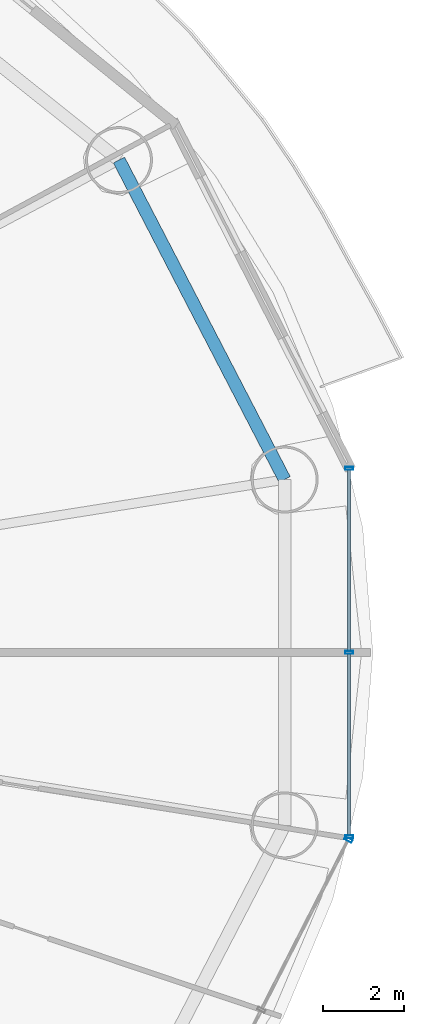
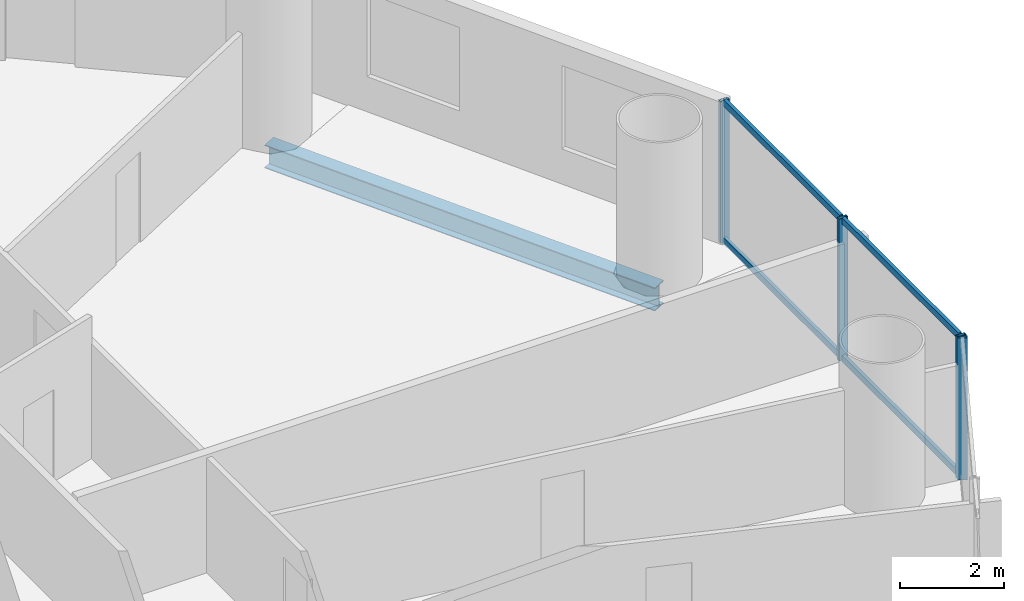
# One storey, part 14 of 29: 8 members, 1 beam, 2 elements without a shape of their own.
"""IFC4 building model written with IfcOpenShell, lengths in metres."""

import ifcopenshell
import ifcopenshell.guid

model = None  # the IFC model being written
_history = None  # IfcOwnerHistory: only IFC2X3 demands one
_inside = {}  # id of a spatial element -> (the spatial element, [elements in it])
_under = {}  # id of a project, library or spatial element -> (it, [spatial elements below it])
_declared = {}  # id of a project -> (the project, [libraries it declares])
_typed = {}  # id of a type object -> (the type object, [elements of that type])
_made_of = {}  # id of a material, layer set ... -> (it, [elements and type objects made of it])


def new_model(schema):
    """Start an empty IFC model of exactly this schema.

    Asked for "IFC4X3", IfcOpenShell would pick the latest addendum, in which some entities
    have other attributes; the version numbers below select the first issue.
    IFC2X3 requires an IfcOwnerHistory on every rooted entity: one is made here for all.
    """
    global model, _history
    if schema == "IFC4X3":
        model = ifcopenshell.file(schema_version=(4, 3, 0, 0))
    else:
        model = ifcopenshell.file(schema=schema)
    _inside.clear()
    _under.clear()
    _declared.clear()
    _typed.clear()
    _made_of.clear()
    _history = None
    if model.schema == "IFC2X3":
        org = make("IfcOrganization", Name="unknown")
        user = make(
            "IfcPersonAndOrganization",
            ThePerson=make("IfcPerson", FamilyName="unknown"),
            TheOrganization=org,
        )
        app = make(
            "IfcApplication",
            ApplicationDeveloper=org,
            Version="unknown",
            ApplicationFullName="unknown",
            ApplicationIdentifier="unknown",
        )
        _history = make(
            "IfcOwnerHistory",
            OwningUser=user,
            OwningApplication=app,
            ChangeAction="ADDED",
            CreationDate=0,
        )
    return model


def make(cls, **values):
    """One entity of the class cls with the attributes given. An attribute that is None is left unset."""
    return model.create_entity(
        cls, **{name: value for name, value in values.items() if value is not None}
    )


def rooted(cls, **values):
    """An entity with a GlobalId (a new one), such as an element, a storey or a relation."""
    return make(cls, GlobalId=ifcopenshell.guid.new(), OwnerHistory=_history, **values)


def si_unit(unit_type, name, prefix=None):
    """IfcSIUnit, for example si_unit("LENGTHUNIT", "METRE", prefix="MILLI")."""
    return make("IfcSIUnit", UnitType=unit_type, Prefix=prefix, Name=name)


def assignment(units):
    """IfcUnitAssignment: the units of a project."""
    return None if units is None else make("IfcUnitAssignment", Units=units)


def point(xyz):
    """IfcCartesianPoint."""
    return None if xyz is None else make("IfcCartesianPoint", Coordinates=xyz)


def direction(xyz):
    """IfcDirection."""
    return None if xyz is None else make("IfcDirection", DirectionRatios=xyz)


def frame(location, z_axis=None, x_axis=None):
    """IfcAxis2Placement3D, a coordinate frame: its origin and axes. An axis left out is left unset."""
    return make(
        "IfcAxis2Placement3D",
        Location=point(location),
        Axis=direction(z_axis),
        RefDirection=direction(x_axis),
    )


def frame_2d(location, x_axis=None):
    """IfcAxis2Placement2D, a coordinate frame in the plane: its origin and x axis."""
    return make(
        "IfcAxis2Placement2D", Location=point(location), RefDirection=direction(x_axis)
    )


def origin():
    """The frame at (0, 0, 0) with its axes left unset."""
    return frame((0.0, 0.0, 0.0))


def origin_2d():
    """The frame at (0, 0) in the plane with its x axis left unset."""
    return frame_2d((0.0, 0.0))


def place(relative_to, where):
    """IfcLocalPlacement: puts the frame where relative to a parent placement (None: the world)."""
    return make(
        "IfcLocalPlacement", PlacementRelTo=relative_to, RelativePlacement=where
    )


def context(
    kind, dimensions, precision=None, world=None, true_north=None, identifier=None
):
    """IfcGeometricRepresentationContext, for example the 3D "Model" context."""
    return make(
        "IfcGeometricRepresentationContext",
        ContextIdentifier=identifier,
        ContextType=kind,
        CoordinateSpaceDimension=dimensions,
        Precision=precision,
        WorldCoordinateSystem=world,
        TrueNorth=true_north,
    )


def subcontext(parent, identifier, kind, view, scale=None):
    """IfcGeometricRepresentationSubContext, for example "Body" below "Model"."""
    return make(
        "IfcGeometricRepresentationSubContext",
        ContextIdentifier=identifier,
        ContextType=kind,
        ParentContext=parent,
        TargetScale=scale,
        TargetView=view,
    )


def project(units=None, contexts=None):
    """IfcProject with its units and contexts."""
    return rooted(
        "IfcProject",
        Name="project",
        RepresentationContexts=contexts,
        UnitsInContext=assignment(units),
    )


def spatial(cls, under=None, at=None, **own):
    """A site, building, storey or space (cls), placed at a placement, below another one or the project."""
    s = rooted(cls, ObjectPlacement=at, **own)
    if under is not None:
        _under.setdefault(under.id(), (under, []))[1].append(s)
    return s


def profile(cls, at=None, kind="AREA", **sizes):
    """A parametric profile (cls). Its sizes go by their IFC names, for example OverallWidth=200.0."""
    return make(cls, ProfileType=kind, Position=at, **sizes)


def hollow_rectangle(**sizes):
    """IfcRectangleHollowProfileDef."""
    return profile("IfcRectangleHollowProfileDef", **sizes)


def i_section(**sizes):
    """IfcIShapeProfileDef."""
    return profile("IfcIShapeProfileDef", **sizes)


def extrude(swept, where, along, depth):
    """IfcExtrudedAreaSolid: the profile swept, set in the frame where, extruded along a direction by depth."""
    return make(
        "IfcExtrudedAreaSolid",
        SweptArea=swept,
        Position=where,
        ExtrudedDirection=direction(along),
        Depth=depth,
    )


def shape(context_of_items, identifier, shape_type, items):
    """IfcShapeRepresentation: the items that make up one representation, for example the "Body"."""
    return make(
        "IfcShapeRepresentation",
        ContextOfItems=context_of_items,
        RepresentationIdentifier=identifier,
        RepresentationType=shape_type,
        Items=items,
    )


def source(mapping_origin, context_of_items, identifier, shape_type, items):
    """IfcRepresentationMap: a shape defined once, which mapped items show again and again."""
    return make(
        "IfcRepresentationMap",
        MappingOrigin=mapping_origin,
        MappedRepresentation=shape(context_of_items, identifier, shape_type, items),
    )


def transform(
    local_origin,
    x_axis=None,
    y_axis=None,
    z_axis=None,
    scale=None,
    scale2=None,
    scale3=None,
    uniform=True,
):
    """IfcCartesianTransformationOperator3D, or its non-uniform kind. x_axis, y_axis, z_axis: its Axis1, 2, 3."""
    if uniform:
        return make(
            "IfcCartesianTransformationOperator3D",
            Axis1=direction(x_axis),
            Axis2=direction(y_axis),
            LocalOrigin=point(local_origin),
            Scale=scale,
            Axis3=direction(z_axis),
        )
    return make(
        "IfcCartesianTransformationOperator3DnonUniform",
        Axis1=direction(x_axis),
        Axis2=direction(y_axis),
        LocalOrigin=point(local_origin),
        Scale=scale,
        Axis3=direction(z_axis),
        Scale2=scale2,
        Scale3=scale3,
    )


def mapped(mapping_source, mapping_target):
    """IfcMappedItem: shows the shape of a source again, moved by a transform."""
    return make(
        "IfcMappedItem", MappingSource=mapping_source, MappingTarget=mapping_target
    )


def material(Name=None, Category=None):
    """IfcMaterial."""
    return make("IfcMaterial", Name=Name, Category=Category)


def material_profile(
    of_material, cross_section, Name=None, Category=None, Priority=None
):
    """IfcMaterialProfile: a cross section and its material."""
    return make(
        "IfcMaterialProfile",
        Name=Name,
        Material=of_material,
        Profile=cross_section,
        Priority=Priority,
        Category=Category,
    )


def profile_set(profiles, Name=None, composite=None):
    """IfcMaterialProfileSet."""
    return make(
        "IfcMaterialProfileSet",
        Name=Name,
        MaterialProfiles=profiles,
        CompositeProfile=composite,
    )


def made_of(thing, what):
    """Note that an element or type object is made of a material, layer set ...; save() writes the relation."""
    if what is not None:
        _made_of.setdefault(what.id(), (what, []))[1].append(thing)
    return thing


def type_object(cls, material=None, **own):
    """A type object (cls), such as IfcWallType, which elements share."""
    return made_of(rooted(cls, **own), material)


def element(
    cls,
    number,
    at=None,
    inside=None,
    cuts=None,
    type_object=None,
    material=None,
    context=None,
    identifier="Body",
    shape_type=None,
    held_by="IfcProductDefinitionShape",
    body=None,
    shapes=None,
    **own,
):
    """One element of the class cls, such as IfcWall. Its Tag is "e" and its number.

    at: its placement. inside: the storey or other place that contains it. cuts: it is an
    opening in that element (IfcRelVoidsElement). A single representation is given by context,
    identifier, shape_type and body (its items); several are given by shapes. held_by: the class
    of the entity that holds the representations. save() writes the other relations.
    """
    e = rooted(cls, Tag="e%d" % number, ObjectPlacement=at, **own)
    if body is not None:
        shapes = [shape(context, identifier, shape_type, body)]
    if shapes is not None:
        e.Representation = make(held_by, Representations=shapes)
    if inside is not None:
        _inside.setdefault(inside.id(), (inside, []))[1].append(e)
    if cuts is not None:
        rooted(
            "IfcRelVoidsElement", RelatingBuildingElement=cuts, RelatedOpeningElement=e
        )
    if type_object is not None:
        _typed.setdefault(type_object.id(), (type_object, []))[1].append(e)
    return made_of(e, material)


def aggregate(whole, parts):
    """IfcRelAggregates: a whole, such as a stair, and the parts it consists of."""
    return rooted("IfcRelAggregates", RelatingObject=whole, RelatedObjects=parts)


def save(model, path):
    """Write the relations noted so far, then the file.

    IfcRelAggregates (storeys below a building ...), IfcRelContainedInSpatialStructure (elements
    in a storey), IfcRelDefinesByType, IfcRelAssociatesMaterial and IfcRelDeclares: one each for
    every whole, place, type object, material and project.
    """
    for whole, parts in _under.values():
        aggregate(whole, parts)
    for where, things in _inside.values():
        rooted(
            "IfcRelContainedInSpatialStructure",
            RelatedElements=things,
            RelatingStructure=where,
        )
    for kind, things in _typed.values():
        rooted("IfcRelDefinesByType", RelatedObjects=things, RelatingType=kind)
    for what, things in _made_of.values():
        rooted("IfcRelAssociatesMaterial", RelatedObjects=things, RelatingMaterial=what)
    for by, libraries in _declared.values():
        rooted("IfcRelDeclares", RelatingContext=by, RelatedDefinitions=libraries)
    model.write(path)


model = new_model("IFC4")

# Units and contexts
model_context = context("Model", 3, precision=1e-05, world=origin(), true_north=direction((-0.2419218956, 0.970295726276)))
body_context = subcontext(model_context, "Body", "Model", "MODEL_VIEW")
ifc_project = project(units=[si_unit("LENGTHUNIT", "METRE"), si_unit("AREAUNIT", "SQUARE_METRE"), si_unit("VOLUMEUNIT", "CUBIC_METRE"), si_unit("PLANEANGLEUNIT", "RADIAN"), si_unit("MASSUNIT", "GRAM", prefix="KILO")], contexts=[model_context])

# Site, building, storey
site_placement = place(None, origin())
site = spatial("IfcSite", under=ifc_project, at=site_placement, CompositionType="ELEMENT")
building_placement = place(site_placement, origin())
building = spatial("IfcBuilding", under=site, at=building_placement, Name="Cobrevalo Terracotta Tower", CompositionType="ELEMENT")
storey_placement = place(building_placement, frame((0.0, 0.0, 67.199951171875)))
storey = spatial("IfcBuildingStorey", under=building, at=storey_placement, Name="L17", CompositionType="ELEMENT", Elevation=67.199951171875)

# Beam
ifc_material_1 = material(Name="Steel S355", Category="steel")
ifc_material_profile_1 = material_profile(ifc_material_1, i_section(OverallWidth=0.31201171875, OverallDepth=0.54296875, WebThickness=0.0126953125, FlangeThickness=0.020263671875, at=origin_2d()), Name="W 530x150")
ifc_profile_set_1 = profile_set([ifc_material_profile_1], Name="Steel S355")
beam_type = type_object("IfcBeamType", Name="Structural Spandrel W 530x150 (Steel S355)", PredefinedType="SPANDREL", material=ifc_profile_set_1)
beam_placement = place(storey_placement, frame((64.824462890625, 31.062744140625, -0.551513671875), z_axis=(-0.460285838799, 0.88777077368, 0.0), x_axis=(-0.88777077368, -0.460285838799, 0.0)))
element("IfcBeam", 1, at=beam_placement, inside=storey, type_object=beam_type, Name="L17 perimeter ring spandrel 01", PredefinedType="SPANDREL", context=body_context, shape_type="SweptSolid", body=[
    extrude(i_section(OverallWidth=0.31201171875, OverallDepth=0.54296875, WebThickness=0.0126953125, FlangeThickness=0.020263671875, at=origin_2d()), origin(), (0.0, 0.0, 1.0), 8.8720703125),
])

# Curtain wall, member
ifc_material_2 = material(Name="Anodized aluminium", Category="aluminium")
curtain_wall_type = type_object("IfcCurtainWallType", Name="Lower-tower unitised acoustic low-E curtain wall CW-U1", PredefinedType="NOTDEFINED", material=ifc_material_2)
curtain_wall_1_placement = place(storey_placement, origin())
curtain_wall_1 = element("IfcCurtainWall", 2, at=curtain_wall_1_placement, inside=storey, type_object=curtain_wall_type, Name="L17 curtain wall CW-L17-S15", PredefinedType="NOTDEFINED")
ifc_material_profile_2 = material_profile(ifc_material_2, hollow_rectangle(XDim=0.074951171875, YDim=0.199951171875, WallThickness=0.0048828125, at=origin_2d()), Name="CWM 75x200")
ifc_profile_set_2 = profile_set([ifc_material_profile_2], Name="Anodized aluminium")
member_type_1 = type_object("IfcMemberType", Name="Lower/mid tower unitised mullion 75x200", PredefinedType="MULLION", material=ifc_profile_set_2)
shared_shape_1 = source(origin(), body_context, "Body", "SweptSolid", [
    extrude(hollow_rectangle(XDim=0.074951171875, YDim=0.199951171875, WallThickness=0.0048828125, at=origin_2d()), origin(), (0.0, 0.0, 1.0), 3.320068359375),
])
member_1_placement = place(storey_placement, frame((66.39501953125, 22.185546875, 0.0), z_axis=(0.0, 0.0, 1.0), x_axis=(0.455234136597, 0.890371765543, 0.0)))
member_1 = element("IfcMember", 3, at=member_1_placement, type_object=member_type_1, Name="CW-L17-S15 vertical mullion 03", PredefinedType="MULLION", context=body_context, shape_type="MappedRepresentation", body=[
    mapped(shared_shape_1, transform((0.0, 0.0, 0.0), scale=1.0)),
])
aggregate(curtain_wall_1, [member_1])

# Curtain wall, members
curtain_wall_2_placement = place(storey_placement, origin())
curtain_wall_2 = element("IfcCurtainWall", 4, at=curtain_wall_2_placement, inside=storey, type_object=curtain_wall_type, Name="L17 curtain wall CW-L17-S16", PredefinedType="NOTDEFINED")
member_2_placement = place(storey_placement, frame((66.413330078125, 22.26123046875, 0.0), z_axis=(0.0, 0.0, 1.0), x_axis=(0.0, 1.0, 0.0)))
member_2 = element("IfcMember", 5, at=member_2_placement, type_object=member_type_1, Name="CW-L17-S16 vertical mullion 01", PredefinedType="MULLION", context=body_context, shape_type="MappedRepresentation", body=[
    mapped(shared_shape_1, transform((0.0, 0.0, 0.0), scale=1.0)),
])
member_3_placement = place(storey_placement, frame((66.413330078125, 26.800048828125, 0.0), z_axis=(0.0, 0.0, 1.0), x_axis=(0.0, 1.0, 0.0)))
member_3 = element("IfcMember", 6, at=member_3_placement, type_object=member_type_1, Name="CW-L17-S16 vertical mullion 02", PredefinedType="MULLION", context=body_context, shape_type="MappedRepresentation", body=[
    mapped(shared_shape_1, transform((0.0, 0.0, 0.0), scale=1.0)),
])
member_4_placement = place(storey_placement, frame((66.413330078125, 31.3388671875, 0.0), z_axis=(0.0, 0.0, 1.0), x_axis=(0.0, 1.0, 0.0)))
member_4 = element("IfcMember", 7, at=member_4_placement, type_object=member_type_1, Name="CW-L17-S16 vertical mullion 03", PredefinedType="MULLION", context=body_context, shape_type="MappedRepresentation", body=[
    mapped(shared_shape_1, transform((0.0, 0.0, 0.0), scale=1.0)),
])
ifc_material_profile_3 = material_profile(ifc_material_2, hollow_rectangle(XDim=0.074951171875, YDim=0.14990234375, WallThickness=0.00439453125, at=origin_2d()), Name="CWT 75x150")
ifc_profile_set_3 = profile_set([ifc_material_profile_3], Name="Anodized aluminium")
member_type_2 = type_object("IfcMemberType", Name="Tower unitised aluminium transom 75x150", PredefinedType="USERDEFINED", material=ifc_profile_set_3)
shared_shape_2 = source(origin(), body_context, "Body", "SweptSolid", [
    extrude(hollow_rectangle(XDim=0.074951171875, YDim=0.14990234375, WallThickness=0.00439453125, at=origin_2d()), origin(), (0.0, 0.0, 1.0), 4.458740234375),
])
member_5_placement = place(storey_placement, frame((66.413330078125, 22.30126953125, 0.050048828125), z_axis=(0.0, 1.0, 0.0), x_axis=(-1.0, 0.0, 0.0)))
member_5 = element("IfcMember", 8, at=member_5_placement, type_object=member_type_2, Name="CW-L17-S16 transom B01-T1", ObjectType="TRANSOM", PredefinedType="USERDEFINED", context=body_context, shape_type="MappedRepresentation", body=[
    mapped(shared_shape_2, transform((0.0, 0.0, 0.0), scale=1.0)),
])
member_6_placement = place(storey_placement, frame((66.413330078125, 22.30126953125, 3.27001953125), z_axis=(0.0, 1.0, 0.0), x_axis=(-1.0, 0.0, 0.0)))
member_6 = element("IfcMember", 9, at=member_6_placement, type_object=member_type_2, Name="CW-L17-S16 transom B01-T2", ObjectType="TRANSOM", PredefinedType="USERDEFINED", context=body_context, shape_type="MappedRepresentation", body=[
    mapped(shared_shape_2, transform((0.0, 0.0, 0.0), scale=1.0)),
])
member_7_placement = place(storey_placement, frame((66.413330078125, 26.840087890625, 0.050048828125), z_axis=(0.0, 1.0, 0.0), x_axis=(-1.0, 0.0, 0.0)))
member_7 = element("IfcMember", 10, at=member_7_placement, type_object=member_type_2, Name="CW-L17-S16 transom B02-T1", ObjectType="TRANSOM", PredefinedType="USERDEFINED", context=body_context, shape_type="MappedRepresentation", body=[
    mapped(shared_shape_2, transform((0.0, 0.0, 0.0), scale=1.0)),
])
member_8_placement = place(storey_placement, frame((66.413330078125, 26.840087890625, 3.27001953125), z_axis=(0.0, 1.0, 0.0), x_axis=(-1.0, 0.0, 0.0)))
member_8 = element("IfcMember", 11, at=member_8_placement, type_object=member_type_2, Name="CW-L17-S16 transom B02-T2", ObjectType="TRANSOM", PredefinedType="USERDEFINED", context=body_context, shape_type="MappedRepresentation", body=[
    mapped(shared_shape_2, transform((0.0, 0.0, 0.0), scale=1.0)),
])
aggregate(curtain_wall_2, [member_2, member_3, member_4, member_5, member_6, member_7, member_8])

save(model, "model.ifc")
